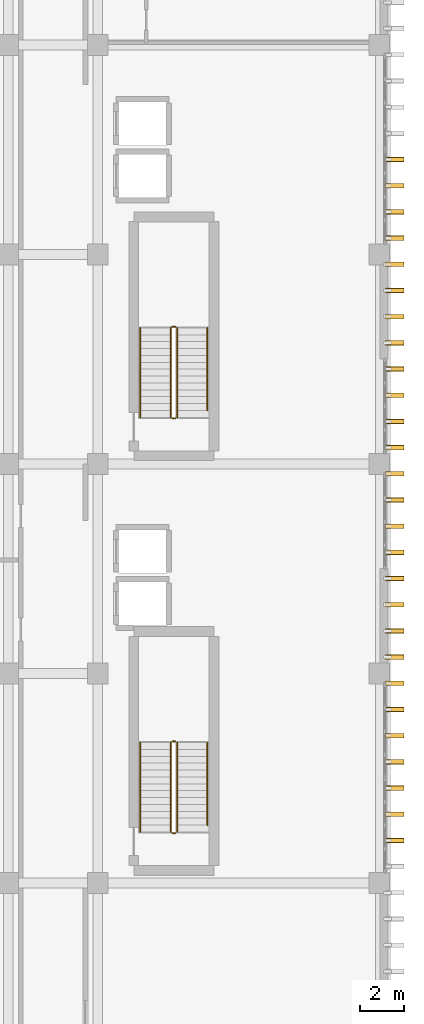
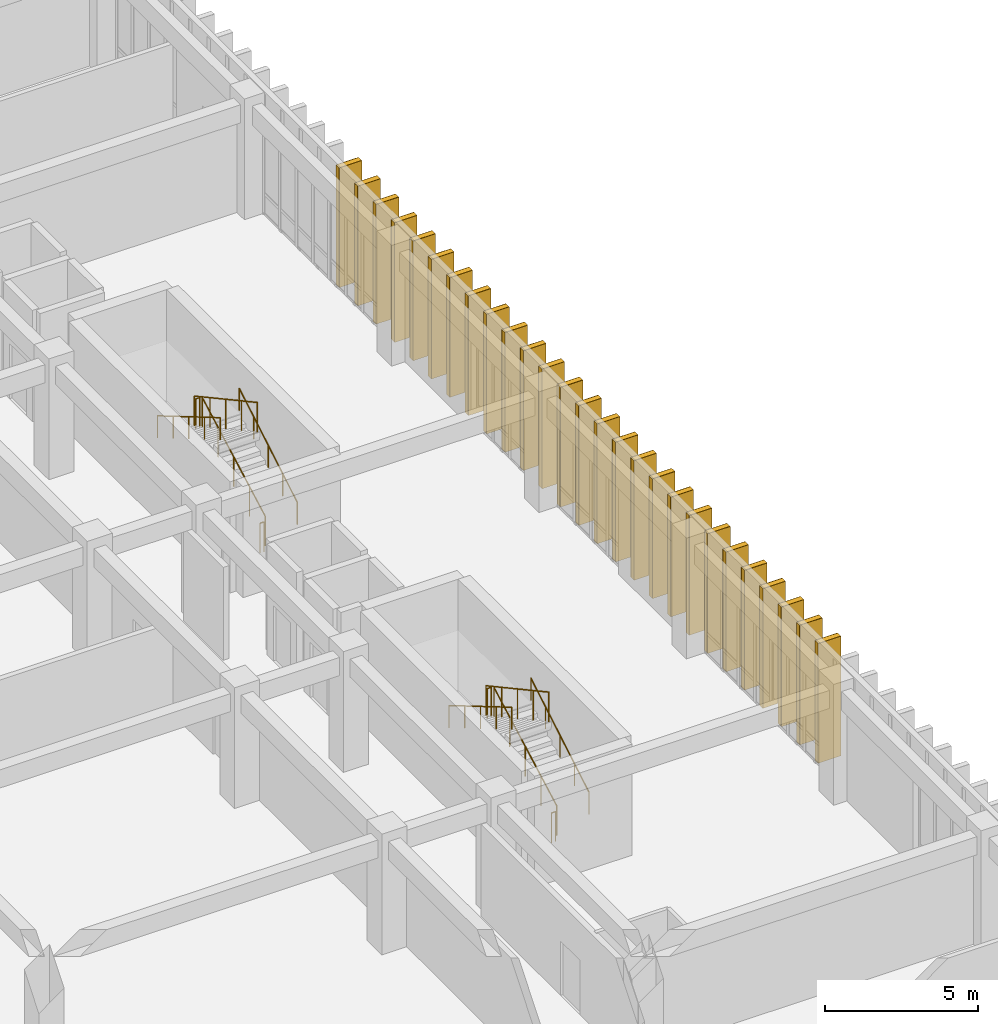
# One storey, part 129 of 133: 27 coverings, 27 shading devices, 12 railings.
"""IFC4 building model written with IfcOpenShell, lengths in metres."""

import ifcopenshell
import ifcopenshell.guid

model = None  # the IFC model being written
_history = None  # IfcOwnerHistory: only IFC2X3 demands one
_inside = {}  # id of a spatial element -> (the spatial element, [elements in it])
_under = {}  # id of a project, library or spatial element -> (it, [spatial elements below it])
_declared = {}  # id of a project -> (the project, [libraries it declares])
_typed = {}  # id of a type object -> (the type object, [elements of that type])
_made_of = {}  # id of a material, layer set ... -> (it, [elements and type objects made of it])


def new_model(schema):
    """Start an empty IFC model of exactly this schema.

    Asked for "IFC4X3", IfcOpenShell would pick the latest addendum, in which some entities
    have other attributes; the version numbers below select the first issue.
    IFC2X3 requires an IfcOwnerHistory on every rooted entity: one is made here for all.
    """
    global model, _history
    if schema == "IFC4X3":
        model = ifcopenshell.file(schema_version=(4, 3, 0, 0))
    else:
        model = ifcopenshell.file(schema=schema)
    _inside.clear()
    _under.clear()
    _declared.clear()
    _typed.clear()
    _made_of.clear()
    _history = None
    if model.schema == "IFC2X3":
        org = make("IfcOrganization", Name="unknown")
        user = make(
            "IfcPersonAndOrganization",
            ThePerson=make("IfcPerson", FamilyName="unknown"),
            TheOrganization=org,
        )
        app = make(
            "IfcApplication",
            ApplicationDeveloper=org,
            Version="unknown",
            ApplicationFullName="unknown",
            ApplicationIdentifier="unknown",
        )
        _history = make(
            "IfcOwnerHistory",
            OwningUser=user,
            OwningApplication=app,
            ChangeAction="ADDED",
            CreationDate=0,
        )
    return model


def make(cls, **values):
    """One entity of the class cls with the attributes given. An attribute that is None is left unset."""
    return model.create_entity(
        cls, **{name: value for name, value in values.items() if value is not None}
    )


def rooted(cls, **values):
    """An entity with a GlobalId (a new one), such as an element, a storey or a relation."""
    return make(cls, GlobalId=ifcopenshell.guid.new(), OwnerHistory=_history, **values)


def si_unit(unit_type, name, prefix=None):
    """IfcSIUnit, for example si_unit("LENGTHUNIT", "METRE", prefix="MILLI")."""
    return make("IfcSIUnit", UnitType=unit_type, Prefix=prefix, Name=name)


def assignment(units):
    """IfcUnitAssignment: the units of a project."""
    return None if units is None else make("IfcUnitAssignment", Units=units)


def point(xyz):
    """IfcCartesianPoint."""
    return None if xyz is None else make("IfcCartesianPoint", Coordinates=xyz)


def direction(xyz):
    """IfcDirection."""
    return None if xyz is None else make("IfcDirection", DirectionRatios=xyz)


def frame(location, z_axis=None, x_axis=None):
    """IfcAxis2Placement3D, a coordinate frame: its origin and axes. An axis left out is left unset."""
    return make(
        "IfcAxis2Placement3D",
        Location=point(location),
        Axis=direction(z_axis),
        RefDirection=direction(x_axis),
    )


def frame_2d(location, x_axis=None):
    """IfcAxis2Placement2D, a coordinate frame in the plane: its origin and x axis."""
    return make(
        "IfcAxis2Placement2D", Location=point(location), RefDirection=direction(x_axis)
    )


def origin():
    """The frame at (0, 0, 0) with its axes left unset."""
    return frame((0.0, 0.0, 0.0))


def origin_2d():
    """The frame at (0, 0) in the plane with its x axis left unset."""
    return frame_2d((0.0, 0.0))


def place(relative_to, where):
    """IfcLocalPlacement: puts the frame where relative to a parent placement (None: the world)."""
    return make(
        "IfcLocalPlacement", PlacementRelTo=relative_to, RelativePlacement=where
    )


def context(
    kind, dimensions, precision=None, world=None, true_north=None, identifier=None
):
    """IfcGeometricRepresentationContext, for example the 3D "Model" context."""
    return make(
        "IfcGeometricRepresentationContext",
        ContextIdentifier=identifier,
        ContextType=kind,
        CoordinateSpaceDimension=dimensions,
        Precision=precision,
        WorldCoordinateSystem=world,
        TrueNorth=true_north,
    )


def subcontext(parent, identifier, kind, view, scale=None):
    """IfcGeometricRepresentationSubContext, for example "Body" below "Model"."""
    return make(
        "IfcGeometricRepresentationSubContext",
        ContextIdentifier=identifier,
        ContextType=kind,
        ParentContext=parent,
        TargetScale=scale,
        TargetView=view,
    )


def project(units=None, contexts=None):
    """IfcProject with its units and contexts."""
    return rooted(
        "IfcProject",
        Name="project",
        RepresentationContexts=contexts,
        UnitsInContext=assignment(units),
    )


def spatial(cls, under=None, at=None, **own):
    """A site, building, storey or space (cls), placed at a placement, below another one or the project."""
    s = rooted(cls, ObjectPlacement=at, **own)
    if under is not None:
        _under.setdefault(under.id(), (under, []))[1].append(s)
    return s


def profile(cls, at=None, kind="AREA", **sizes):
    """A parametric profile (cls). Its sizes go by their IFC names, for example OverallWidth=200.0."""
    return make(cls, ProfileType=kind, Position=at, **sizes)


def rectangle(**sizes):
    """IfcRectangleProfileDef."""
    return profile("IfcRectangleProfileDef", **sizes)


def circle(**sizes):
    """IfcCircleProfileDef."""
    return profile("IfcCircleProfileDef", **sizes)


def extrude(swept, where, along, depth):
    """IfcExtrudedAreaSolid: the profile swept, set in the frame where, extruded along a direction by depth."""
    return make(
        "IfcExtrudedAreaSolid",
        SweptArea=swept,
        Position=where,
        ExtrudedDirection=direction(along),
        Depth=depth,
    )


def shape(context_of_items, identifier, shape_type, items):
    """IfcShapeRepresentation: the items that make up one representation, for example the "Body"."""
    return make(
        "IfcShapeRepresentation",
        ContextOfItems=context_of_items,
        RepresentationIdentifier=identifier,
        RepresentationType=shape_type,
        Items=items,
    )


def material(Name=None, Category=None):
    """IfcMaterial."""
    return make("IfcMaterial", Name=Name, Category=Category)


def layer(
    of_material, thickness, ventilated=None, Name=None, Category=None, Priority=None
):
    """IfcMaterialLayer: one layer of a wall or slab, of a material (None: an air gap)."""
    return make(
        "IfcMaterialLayer",
        Material=of_material,
        LayerThickness=thickness,
        IsVentilated=ventilated,
        Name=Name,
        Category=Category,
        Priority=Priority,
    )


def layer_set(layers, Name=None):
    """IfcMaterialLayerSet."""
    return make("IfcMaterialLayerSet", MaterialLayers=layers, LayerSetName=Name)


def made_of(thing, what):
    """Note that an element or type object is made of a material, layer set ...; save() writes the relation."""
    if what is not None:
        _made_of.setdefault(what.id(), (what, []))[1].append(thing)
    return thing


def type_object(cls, material=None, **own):
    """A type object (cls), such as IfcWallType, which elements share."""
    return made_of(rooted(cls, **own), material)


def element(
    cls,
    number,
    at=None,
    inside=None,
    cuts=None,
    type_object=None,
    material=None,
    context=None,
    identifier="Body",
    shape_type=None,
    held_by="IfcProductDefinitionShape",
    body=None,
    shapes=None,
    **own,
):
    """One element of the class cls, such as IfcWall. Its Tag is "e" and its number.

    at: its placement. inside: the storey or other place that contains it. cuts: it is an
    opening in that element (IfcRelVoidsElement). A single representation is given by context,
    identifier, shape_type and body (its items); several are given by shapes. held_by: the class
    of the entity that holds the representations. save() writes the other relations.
    """
    e = rooted(cls, Tag="e%d" % number, ObjectPlacement=at, **own)
    if body is not None:
        shapes = [shape(context, identifier, shape_type, body)]
    if shapes is not None:
        e.Representation = make(held_by, Representations=shapes)
    if inside is not None:
        _inside.setdefault(inside.id(), (inside, []))[1].append(e)
    if cuts is not None:
        rooted(
            "IfcRelVoidsElement", RelatingBuildingElement=cuts, RelatedOpeningElement=e
        )
    if type_object is not None:
        _typed.setdefault(type_object.id(), (type_object, []))[1].append(e)
    return made_of(e, material)


def aggregate(whole, parts):
    """IfcRelAggregates: a whole, such as a stair, and the parts it consists of."""
    return rooted("IfcRelAggregates", RelatingObject=whole, RelatedObjects=parts)


def save(model, path):
    """Write the relations noted so far, then the file.

    IfcRelAggregates (storeys below a building ...), IfcRelContainedInSpatialStructure (elements
    in a storey), IfcRelDefinesByType, IfcRelAssociatesMaterial and IfcRelDeclares: one each for
    every whole, place, type object, material and project.
    """
    for whole, parts in _under.values():
        aggregate(whole, parts)
    for where, things in _inside.values():
        rooted(
            "IfcRelContainedInSpatialStructure",
            RelatedElements=things,
            RelatingStructure=where,
        )
    for kind, things in _typed.values():
        rooted("IfcRelDefinesByType", RelatedObjects=things, RelatingType=kind)
    for what, things in _made_of.values():
        rooted("IfcRelAssociatesMaterial", RelatedObjects=things, RelatingMaterial=what)
    for by, libraries in _declared.values():
        rooted("IfcRelDeclares", RelatingContext=by, RelatedDefinitions=libraries)
    model.write(path)


model = new_model("IFC4")

# Units and contexts
model_context = context("Model", 3, precision=1e-05, world=origin(), true_north=direction((0.0, 1.0)))
body_context = subcontext(model_context, "Body", "Model", "MODEL_VIEW")
ifc_project = project(units=[si_unit("LENGTHUNIT", "METRE"), si_unit("AREAUNIT", "SQUARE_METRE"), si_unit("VOLUMEUNIT", "CUBIC_METRE"), si_unit("PLANEANGLEUNIT", "RADIAN"), si_unit("MASSUNIT", "GRAM", prefix="KILO")], contexts=[model_context])

# Site, building, storey
site_placement = place(None, origin())
site = spatial("IfcSite", under=ifc_project, at=site_placement, CompositionType="ELEMENT")
building_placement = place(site_placement, origin())
building = spatial("IfcBuilding", under=site, at=building_placement, Name="Nakhvara Creek Congress Hotel", CompositionType="ELEMENT")
storey_placement = place(building_placement, frame((0.0, 0.0, 11.39990234375)))
storey = spatial("IfcBuildingStorey", under=building, at=storey_placement, Name="L02", CompositionType="ELEMENT", Elevation=11.39990234375)

# Coverings
ifc_material_1 = material(Name="Honed pale Omani limestone architectural cladding", Category="masonry")
ifc_layer = layer(ifc_material_1, 0.219970703125)
ifc_layer_set = layer_set([ifc_layer], Name="Honed pale Omani limestone architectural cladding")
covering_type = type_object("IfcCoveringType", Name="COV-FIN-850", PredefinedType="CLADDING", material=ifc_layer_set)
for number, where, z_axis, x_axis, name in (
    (1, (180.054931640625, 30.75, 0.0), (0.0, 0.0, 1.0), (0.0, 1.0, 0.0), "Pale Limestone Fin Cladding CF01-0878"),
    (2, (180.054931640625, 31.949951171875, 0.0), (0.0, 0.0, 1.0), (0.0, 1.0, 0.0), "Pale Limestone Fin Cladding CF01-0879"),
    (3, (180.054931640625, 33.14990234375, 0.0), (0.0, 0.0, 1.0), (0.0, 1.0, 0.0), "Pale Limestone Fin Cladding CF01-0880"),
    (4, (180.054931640625, 34.35009765625, 0.0), (0.0, 0.0, 1.0), (0.0, 1.0, 0.0), "Pale Limestone Fin Cladding CF01-0881"),
    (5, (180.054931640625, 35.550048828125, 0.0), (0.0, 0.0, 1.0), (0.0, 1.0, 0.0), "Pale Limestone Fin Cladding CF01-0882"),
    (6, (180.054931640625, 36.75, 0.0), (0.0, 0.0, 1.0), (0.0, 1.0, 0.0), "Pale Limestone Fin Cladding CF01-0883"),
    (7, (180.054931640625, 37.949951171875, 0.0), (0.0, 0.0, 1.0), (0.0, 1.0, 0.0), "Pale Limestone Fin Cladding CF01-0884"),
    (8, (180.054931640625, 39.14990234375, 0.0), (0.0, 0.0, 1.0), (0.0, 1.0, 0.0), "Pale Limestone Fin Cladding CF01-0885"),
    (9, (180.054931640625, 40.35009765625, 0.0), (0.0, 0.0, 1.0), (0.0, 1.0, 0.0), "Pale Limestone Fin Cladding CF01-0886"),
    (10, (180.054931640625, 41.550048828125, 0.0), (0.0, 0.0, 1.0), (0.0, 1.0, 0.0), "Pale Limestone Fin Cladding CF01-0887"),
    (11, (180.054931640625, 42.75, 0.0), (0.0, 0.0, 1.0), (0.0, 1.0, 0.0), "Pale Limestone Fin Cladding CF01-0888"),
    (12, (180.054931640625, 43.949951171875, 0.0), (0.0, 0.0, 1.0), (0.0, 1.0, 0.0), "Pale Limestone Fin Cladding CF01-0889"),
    (13, (180.054931640625, 45.14990234375, 0.0), (0.0, 0.0, 1.0), (0.0, 1.0, 0.0), "Pale Limestone Fin Cladding CF01-0890"),
    (14, (180.054931640625, 46.35009765625, 0.0), (0.0, 0.0, 1.0), (0.0, 1.0, 0.0), "Pale Limestone Fin Cladding CF01-0891"),
    (15, (180.054931640625, 47.550048828125, 0.0), (0.0, 0.0, 1.0), (0.0, 1.0, 0.0), "Pale Limestone Fin Cladding CF01-0892"),
    (16, (180.054931640625, 48.75, 0.0), (0.0, 0.0, 1.0), (0.0, 1.0, 0.0), "Pale Limestone Fin Cladding CF01-0893"),
    (17, (180.054931640625, 49.949951171875, 0.0), (0.0, 0.0, 1.0), (0.0, 1.0, 0.0), "Pale Limestone Fin Cladding CF01-0894"),
    (18, (180.054931640625, 51.14990234375, 0.0), (0.0, 0.0, 1.0), (0.0, 1.0, 0.0), "Pale Limestone Fin Cladding CF01-0895"),
    (19, (180.054931640625, 52.35009765625, 0.0), (0.0, 0.0, 1.0), (0.0, 1.0, 0.0), "Pale Limestone Fin Cladding CF01-0896"),
    (20, (180.054931640625, 53.550048828125, 0.0), (0.0, 0.0, 1.0), (0.0, 1.0, 0.0), "Pale Limestone Fin Cladding CF01-0897"),
    (21, (180.054931640625, 54.75, 0.0), (0.0, 0.0, 1.0), (0.0, 1.0, 0.0), "Pale Limestone Fin Cladding CF01-0898"),
    (22, (180.054931640625, 55.949951171875, 0.0), (0.0, 0.0, 1.0), (0.0, 1.0, 0.0), "Pale Limestone Fin Cladding CF01-0899"),
    (23, (180.054931640625, 57.14990234375, 0.0), (0.0, 0.0, 1.0), (0.0, 1.0, 0.0), "Pale Limestone Fin Cladding CF01-0900"),
    (24, (180.054931640625, 58.35009765625, 0.0), (0.0, 0.0, 1.0), (0.0, 1.0, 0.0), "Pale Limestone Fin Cladding CF01-0901"),
    (25, (180.054931640625, 59.550048828125, 0.0), (0.0, 0.0, 1.0), (0.0, 1.0, 0.0), "Pale Limestone Fin Cladding CF01-0902"),
    (26, (180.054931640625, 60.75, 0.0), (0.0, 0.0, 1.0), (0.0, 1.0, 0.0), "Pale Limestone Fin Cladding CF01-0903"),
    (27, (180.054931640625, 61.949951171875, 0.0), (0.0, 0.0, 1.0), (0.0, 1.0, 0.0), "Pale Limestone Fin Cladding CF01-0904"),
):
    element("IfcCovering", number, at=place(storey_placement, frame(where, z_axis=z_axis, x_axis=x_axis)), inside=storey, type_object=covering_type, Name=name, PredefinedType="CLADDING", context=body_context, shape_type="SweptSolid", body=[
        extrude(rectangle(XDim=0.219970703125, YDim=0.85009765625, at=origin_2d()), origin(), (0.0, 0.0, 1.0), 4.760009765625),
    ])

# Railings
ifc_material_2 = material(Name="Brushed stainless steel 316L", Category="steel")
railing_type_1 = type_object("IfcRailingType", Name="RL-GUARD-1200", PredefinedType="GUARDRAIL", material=ifc_material_2)
railing_1_placement = place(storey_placement, frame((170.0849609375, 31.139892578125, 0.171630859375)))
element("IfcRailing", 28, at=railing_1_placement, inside=storey, type_object=railing_type_1, Name="L02 ST03 stair guard 1", PredefinedType="GUARDRAIL", context=body_context, shape_type="SweptSolid", body=[
    extrude(circle(Radius=0.02392578125, at=origin_2d()), frame((0.0, 0.012939453125, 1.182861328125), z_axis=(0.0, 0.878367429875, 0.477986043871), x_axis=(-1.0, 0.0, 0.0)), (0.0, 0.0, 1.0), 4.6328125),
    extrude(circle(Radius=0.02099609375, at=origin_2d()), origin(), (0.0, 0.0, 1.0), 1.1806640625),
    extrude(circle(Radius=0.02099609375, at=origin_2d()), frame((0.0, 1.02392578125, 0.55712890625)), (0.0, 0.0, 1.0), 1.1806640625),
    extrude(circle(Radius=0.02099609375, at=origin_2d()), frame((0.0, 2.047607421875, 1.1142578125)), (0.0, 0.0, 1.0), 1.1806640625),
    extrude(circle(Radius=0.02099609375, at=origin_2d()), frame((0.0, 3.0712890625, 1.67138671875)), (0.0, 0.0, 1.0), 1.1806640625),
    extrude(circle(Radius=0.02099609375, at=origin_2d()), frame((0.0, 4.09521484375, 2.228515625)), (0.0, 0.0, 1.0), 1.1806640625),
])
railing_2_placement = place(storey_placement, frame((170.010009765625, 35.284912109375, 2.400146484375)))
element("IfcRailing", 29, at=railing_2_placement, inside=storey, type_object=railing_type_1, Name="L02 ST03 stair guard 2", PredefinedType="GUARDRAIL", context=body_context, shape_type="SweptSolid", body=[
    extrude(circle(Radius=0.02392578125, at=origin_2d()), frame((-0.0146484375, 0.0, 1.17578125), z_axis=(-1.0, 0.0, 0.0), x_axis=(0.0, -1.0, 0.0)), (0.0, 0.0, 1.0), 0.12060546875),
    extrude(circle(Radius=0.02099609375, at=origin_2d()), origin(), (0.0, 0.0, 1.0), 1.1806640625),
    extrude(circle(Radius=0.02099609375, at=origin_2d()), frame((-0.14990234375, 0.0, 0.0)), (0.0, 0.0, 1.0), 1.1806640625),
])
railing_3_placement = place(storey_placement, frame((169.784912109375, 35.235107421875, 2.571533203125)))
element("IfcRailing", 30, at=railing_3_placement, inside=storey, type_object=railing_type_1, Name="L02 ST03 stair guard 3", PredefinedType="GUARDRAIL", context=body_context, shape_type="SweptSolid", body=[
    extrude(circle(Radius=0.02392578125, at=origin_2d()), frame((0.0, -0.012939453125, 1.182861328125), z_axis=(0.0, -0.878367429875, 0.477986043871), x_axis=(1.0, 0.0, 0.0)), (0.0, 0.0, 1.0), 4.6328125),
    extrude(circle(Radius=0.02099609375, at=origin_2d()), origin(), (0.0, 0.0, 1.0), 1.1806640625),
    extrude(circle(Radius=0.02099609375, at=origin_2d()), frame((0.0, -1.02392578125, 0.55712890625)), (0.0, 0.0, 1.0), 1.1806640625),
    extrude(circle(Radius=0.02099609375, at=origin_2d()), frame((0.0, -2.047607421875, 1.1142578125)), (0.0, 0.0, 1.0), 1.1806640625),
    extrude(circle(Radius=0.02099609375, at=origin_2d()), frame((0.0, -3.0712890625, 1.67138671875)), (0.0, 0.0, 1.0), 1.1806640625),
    extrude(circle(Radius=0.02099609375, at=origin_2d()), frame((0.0, -4.09521484375, 2.228515625)), (0.0, 0.0, 1.0), 1.1806640625),
])
railing_4_placement = place(storey_placement, frame((170.010009765625, 31.090087890625, 0.0)))
element("IfcRailing", 31, at=railing_4_placement, inside=storey, type_object=railing_type_1, Name="L02 ST03 stair guard 4", PredefinedType="GUARDRAIL", context=body_context, shape_type="SweptSolid", body=[
    extrude(circle(Radius=0.02392578125, at=origin_2d()), frame((-0.0146484375, 0.0, 1.17578125), z_axis=(-1.0, 0.0, 0.0), x_axis=(0.0, -1.0, 0.0)), (0.0, 0.0, 1.0), 0.12060546875),
    extrude(circle(Radius=0.02099609375, at=origin_2d()), origin(), (0.0, 0.0, 1.0), 1.1806640625),
    extrude(circle(Radius=0.02099609375, at=origin_2d()), frame((-0.14990234375, 0.0, 0.0)), (0.0, 0.0, 1.0), 1.1806640625),
])
railing_5_placement = place(storey_placement, frame((170.0849609375, 50.139892578125, 0.171630859375)))
element("IfcRailing", 32, at=railing_5_placement, inside=storey, type_object=railing_type_1, Name="L02 ST04 stair guard 1", PredefinedType="GUARDRAIL", context=body_context, shape_type="SweptSolid", body=[
    extrude(circle(Radius=0.02392578125, at=origin_2d()), frame((0.0, 0.012939453125, 1.182861328125), z_axis=(0.0, 0.878367429875, 0.477986043871), x_axis=(-1.0, 0.0, 0.0)), (0.0, 0.0, 1.0), 4.6328125),
    extrude(circle(Radius=0.02099609375, at=origin_2d()), origin(), (0.0, 0.0, 1.0), 1.1806640625),
    extrude(circle(Radius=0.02099609375, at=origin_2d()), frame((0.0, 1.02392578125, 0.55712890625)), (0.0, 0.0, 1.0), 1.1806640625),
    extrude(circle(Radius=0.02099609375, at=origin_2d()), frame((0.0, 2.047607421875, 1.1142578125)), (0.0, 0.0, 1.0), 1.1806640625),
    extrude(circle(Radius=0.02099609375, at=origin_2d()), frame((0.0, 3.0712890625, 1.67138671875)), (0.0, 0.0, 1.0), 1.1806640625),
    extrude(circle(Radius=0.02099609375, at=origin_2d()), frame((0.0, 4.09521484375, 2.228515625)), (0.0, 0.0, 1.0), 1.1806640625),
])
railing_6_placement = place(storey_placement, frame((170.010009765625, 54.284912109375, 2.400146484375)))
element("IfcRailing", 33, at=railing_6_placement, inside=storey, type_object=railing_type_1, Name="L02 ST04 stair guard 2", PredefinedType="GUARDRAIL", context=body_context, shape_type="SweptSolid", body=[
    extrude(circle(Radius=0.02392578125, at=origin_2d()), frame((-0.0146484375, 0.0, 1.17578125), z_axis=(-1.0, 0.0, 0.0), x_axis=(0.0, -1.0, 0.0)), (0.0, 0.0, 1.0), 0.12060546875),
    extrude(circle(Radius=0.02099609375, at=origin_2d()), origin(), (0.0, 0.0, 1.0), 1.1806640625),
    extrude(circle(Radius=0.02099609375, at=origin_2d()), frame((-0.14990234375, 0.0, 0.0)), (0.0, 0.0, 1.0), 1.1806640625),
])
railing_7_placement = place(storey_placement, frame((169.784912109375, 54.235107421875, 2.571533203125)))
element("IfcRailing", 34, at=railing_7_placement, inside=storey, type_object=railing_type_1, Name="L02 ST04 stair guard 3", PredefinedType="GUARDRAIL", context=body_context, shape_type="SweptSolid", body=[
    extrude(circle(Radius=0.02392578125, at=origin_2d()), frame((0.0, -0.012939453125, 1.182861328125), z_axis=(0.0, -0.878367429875, 0.477986043871), x_axis=(1.0, 0.0, 0.0)), (0.0, 0.0, 1.0), 4.6328125),
    extrude(circle(Radius=0.02099609375, at=origin_2d()), origin(), (0.0, 0.0, 1.0), 1.1806640625),
    extrude(circle(Radius=0.02099609375, at=origin_2d()), frame((0.0, -1.02392578125, 0.55712890625)), (0.0, 0.0, 1.0), 1.1806640625),
    extrude(circle(Radius=0.02099609375, at=origin_2d()), frame((0.0, -2.047607421875, 1.1142578125)), (0.0, 0.0, 1.0), 1.1806640625),
    extrude(circle(Radius=0.02099609375, at=origin_2d()), frame((0.0, -3.0712890625, 1.67138671875)), (0.0, 0.0, 1.0), 1.1806640625),
    extrude(circle(Radius=0.02099609375, at=origin_2d()), frame((0.0, -4.09521484375, 2.228515625)), (0.0, 0.0, 1.0), 1.1806640625),
])
railing_8_placement = place(storey_placement, frame((170.010009765625, 50.090087890625, 0.0)))
element("IfcRailing", 35, at=railing_8_placement, inside=storey, type_object=railing_type_1, Name="L02 ST04 stair guard 4", PredefinedType="GUARDRAIL", context=body_context, shape_type="SweptSolid", body=[
    extrude(circle(Radius=0.02392578125, at=origin_2d()), frame((-0.0146484375, 0.0, 1.17578125), z_axis=(-1.0, 0.0, 0.0), x_axis=(0.0, -1.0, 0.0)), (0.0, 0.0, 1.0), 0.12060546875),
    extrude(circle(Radius=0.02099609375, at=origin_2d()), origin(), (0.0, 0.0, 1.0), 1.1806640625),
    extrude(circle(Radius=0.02099609375, at=origin_2d()), frame((-0.14990234375, 0.0, 0.0)), (0.0, 0.0, 1.0), 1.1806640625),
])
railing_type_2 = type_object("IfcRailingType", Name="RL-HAND-900", PredefinedType="HANDRAIL", material=ifc_material_2)
railing_9_placement = place(storey_placement, frame((171.47509765625, 31.455078125, 0.343017578125)))
element("IfcRailing", 36, at=railing_9_placement, inside=storey, type_object=railing_type_2, Name="L02 ST03 stair handrail 1", PredefinedType="HANDRAIL", context=body_context, shape_type="SweptSolid", body=[
    extrude(circle(Radius=0.02392578125, at=origin_2d()), frame((0.0, 0.0126953125, 0.88330078125), z_axis=(0.0, 0.860342978037, 0.509715567883), x_axis=(-1.0, 0.0, 0.0)), (0.0, 0.0, 1.0), 4.3642578125),
    extrude(circle(Radius=0.02099609375, at=origin_2d()), origin(), (0.0, 0.0, 1.0), 0.880615234375),
    extrude(circle(Radius=0.02099609375, at=origin_2d()), frame((0.0, 0.945068359375, 0.559814453125)), (0.0, 0.0, 1.0), 0.880615234375),
    extrude(circle(Radius=0.02099609375, at=origin_2d()), frame((0.0, 1.89013671875, 1.11962890625)), (0.0, 0.0, 1.0), 0.880615234375),
    extrude(circle(Radius=0.02099609375, at=origin_2d()), frame((0.0, 2.8349609375, 1.6796875)), (0.0, 0.0, 1.0), 0.880615234375),
    extrude(circle(Radius=0.02099609375, at=origin_2d()), frame((0.0, 3.780029296875, 2.239501953125)), (0.0, 0.0, 1.0), 0.880615234375),
])
railing_10_placement = place(storey_placement, frame((168.39501953125, 35.235107421875, 2.571533203125)))
element("IfcRailing", 37, at=railing_10_placement, inside=storey, type_object=railing_type_2, Name="L02 ST03 stair handrail 2", PredefinedType="HANDRAIL", context=body_context, shape_type="SweptSolid", body=[
    extrude(circle(Radius=0.02392578125, at=origin_2d()), frame((0.0, -0.0126953125, 0.88330078125), z_axis=(0.0, -0.861755869898, 0.507323191561), x_axis=(1.0, 0.0, 0.0)), (0.0, 0.0, 1.0), 4.722900390625),
    extrude(circle(Radius=0.02099609375, at=origin_2d()), origin(), (0.0, 0.0, 1.0), 0.880615234375),
    extrude(circle(Radius=0.02099609375, at=origin_2d()), frame((0.0, -1.02392578125, 0.602783203125)), (0.0, 0.0, 1.0), 0.880615234375),
    extrude(circle(Radius=0.02099609375, at=origin_2d()), frame((0.0, -2.047607421875, 1.20556640625)), (0.0, 0.0, 1.0), 0.880615234375),
    extrude(circle(Radius=0.02099609375, at=origin_2d()), frame((0.0, -3.0712890625, 1.80810546875)), (0.0, 0.0, 1.0), 0.880615234375),
    extrude(circle(Radius=0.02099609375, at=origin_2d()), frame((0.0, -4.09521484375, 2.410888671875)), (0.0, 0.0, 1.0), 0.880615234375),
])
railing_11_placement = place(storey_placement, frame((171.47509765625, 50.455078125, 0.343017578125)))
element("IfcRailing", 38, at=railing_11_placement, inside=storey, type_object=railing_type_2, Name="L02 ST04 stair handrail 1", PredefinedType="HANDRAIL", context=body_context, shape_type="SweptSolid", body=[
    extrude(circle(Radius=0.02392578125, at=origin_2d()), frame((0.0, 0.0126953125, 0.88330078125), z_axis=(0.0, 0.860342978037, 0.509715567883), x_axis=(-1.0, 0.0, 0.0)), (0.0, 0.0, 1.0), 4.3642578125),
    extrude(circle(Radius=0.02099609375, at=origin_2d()), origin(), (0.0, 0.0, 1.0), 0.880615234375),
    extrude(circle(Radius=0.02099609375, at=origin_2d()), frame((0.0, 0.945068359375, 0.559814453125)), (0.0, 0.0, 1.0), 0.880615234375),
    extrude(circle(Radius=0.02099609375, at=origin_2d()), frame((0.0, 1.89013671875, 1.11962890625)), (0.0, 0.0, 1.0), 0.880615234375),
    extrude(circle(Radius=0.02099609375, at=origin_2d()), frame((0.0, 2.8349609375, 1.6796875)), (0.0, 0.0, 1.0), 0.880615234375),
    extrude(circle(Radius=0.02099609375, at=origin_2d()), frame((0.0, 3.780029296875, 2.239501953125)), (0.0, 0.0, 1.0), 0.880615234375),
])
railing_12_placement = place(storey_placement, frame((168.39501953125, 54.235107421875, 2.571533203125)))
element("IfcRailing", 39, at=railing_12_placement, inside=storey, type_object=railing_type_2, Name="L02 ST04 stair handrail 2", PredefinedType="HANDRAIL", context=body_context, shape_type="SweptSolid", body=[
    extrude(circle(Radius=0.02392578125, at=origin_2d()), frame((0.0, -0.0126953125, 0.88330078125), z_axis=(0.0, -0.861755869898, 0.507323191561), x_axis=(1.0, 0.0, 0.0)), (0.0, 0.0, 1.0), 4.722900390625),
    extrude(circle(Radius=0.02099609375, at=origin_2d()), origin(), (0.0, 0.0, 1.0), 0.880615234375),
    extrude(circle(Radius=0.02099609375, at=origin_2d()), frame((0.0, -1.02392578125, 0.602783203125)), (0.0, 0.0, 1.0), 0.880615234375),
    extrude(circle(Radius=0.02099609375, at=origin_2d()), frame((0.0, -2.047607421875, 1.20556640625)), (0.0, 0.0, 1.0), 0.880615234375),
    extrude(circle(Radius=0.02099609375, at=origin_2d()), frame((0.0, -3.0712890625, 1.80810546875)), (0.0, 0.0, 1.0), 0.880615234375),
    extrude(circle(Radius=0.02099609375, at=origin_2d()), frame((0.0, -4.09521484375, 2.410888671875)), (0.0, 0.0, 1.0), 0.880615234375),
])

# Shading devices
ifc_material_3 = material(Name="Honed pale Omani limestone cladding on stainless steel spine", Category="masonry")
shading_device_type = type_object("IfcShadingDeviceType", Name="SHD-FIN-850X4700", PredefinedType="USERDEFINED", material=ifc_material_3)
for number, where, z_axis, x_axis, name in (
    (40, (180.054931640625, 30.75, 0.0), (0.0, 0.0, 1.0), (0.0, 1.0, 0.0), "Limestone Solar Fin FN02-0743"),
    (41, (180.054931640625, 31.949951171875, 0.0), (0.0, 0.0, 1.0), (0.0, 1.0, 0.0), "Limestone Solar Fin FN02-0744"),
    (42, (180.054931640625, 33.14990234375, 0.0), (0.0, 0.0, 1.0), (0.0, 1.0, 0.0), "Limestone Solar Fin FN02-0745"),
    (43, (180.054931640625, 34.35009765625, 0.0), (0.0, 0.0, 1.0), (0.0, 1.0, 0.0), "Limestone Solar Fin FN02-0746"),
    (44, (180.054931640625, 35.550048828125, 0.0), (0.0, 0.0, 1.0), (0.0, 1.0, 0.0), "Limestone Solar Fin FN02-0747"),
    (45, (180.054931640625, 36.75, 0.0), (0.0, 0.0, 1.0), (0.0, 1.0, 0.0), "Limestone Solar Fin FN02-0748"),
    (46, (180.054931640625, 37.949951171875, 0.0), (0.0, 0.0, 1.0), (0.0, 1.0, 0.0), "Limestone Solar Fin FN02-0749"),
    (47, (180.054931640625, 39.14990234375, 0.0), (0.0, 0.0, 1.0), (0.0, 1.0, 0.0), "Limestone Solar Fin FN02-0750"),
    (48, (180.054931640625, 40.35009765625, 0.0), (0.0, 0.0, 1.0), (0.0, 1.0, 0.0), "Limestone Solar Fin FN02-0751"),
    (49, (180.054931640625, 41.550048828125, 0.0), (0.0, 0.0, 1.0), (0.0, 1.0, 0.0), "Limestone Solar Fin FN02-0752"),
    (50, (180.054931640625, 42.75, 0.0), (0.0, 0.0, 1.0), (0.0, 1.0, 0.0), "Limestone Solar Fin FN02-0753"),
    (51, (180.054931640625, 43.949951171875, 0.0), (0.0, 0.0, 1.0), (0.0, 1.0, 0.0), "Limestone Solar Fin FN02-0754"),
    (52, (180.054931640625, 45.14990234375, 0.0), (0.0, 0.0, 1.0), (0.0, 1.0, 0.0), "Limestone Solar Fin FN02-0755"),
    (53, (180.054931640625, 46.35009765625, 0.0), (0.0, 0.0, 1.0), (0.0, 1.0, 0.0), "Limestone Solar Fin FN02-0756"),
    (54, (180.054931640625, 47.550048828125, 0.0), (0.0, 0.0, 1.0), (0.0, 1.0, 0.0), "Limestone Solar Fin FN02-0757"),
    (55, (180.054931640625, 48.75, 0.0), (0.0, 0.0, 1.0), (0.0, 1.0, 0.0), "Limestone Solar Fin FN02-0758"),
    (56, (180.054931640625, 49.949951171875, 0.0), (0.0, 0.0, 1.0), (0.0, 1.0, 0.0), "Limestone Solar Fin FN02-0759"),
    (57, (180.054931640625, 51.14990234375, 0.0), (0.0, 0.0, 1.0), (0.0, 1.0, 0.0), "Limestone Solar Fin FN02-0760"),
    (58, (180.054931640625, 52.35009765625, 0.0), (0.0, 0.0, 1.0), (0.0, 1.0, 0.0), "Limestone Solar Fin FN02-0761"),
    (59, (180.054931640625, 53.550048828125, 0.0), (0.0, 0.0, 1.0), (0.0, 1.0, 0.0), "Limestone Solar Fin FN02-0762"),
    (60, (180.054931640625, 54.75, 0.0), (0.0, 0.0, 1.0), (0.0, 1.0, 0.0), "Limestone Solar Fin FN02-0763"),
    (61, (180.054931640625, 55.949951171875, 0.0), (0.0, 0.0, 1.0), (0.0, 1.0, 0.0), "Limestone Solar Fin FN02-0764"),
    (62, (180.054931640625, 57.14990234375, 0.0), (0.0, 0.0, 1.0), (0.0, 1.0, 0.0), "Limestone Solar Fin FN02-0765"),
    (63, (180.054931640625, 58.35009765625, 0.0), (0.0, 0.0, 1.0), (0.0, 1.0, 0.0), "Limestone Solar Fin FN02-0766"),
    (64, (180.054931640625, 59.550048828125, 0.0), (0.0, 0.0, 1.0), (0.0, 1.0, 0.0), "Limestone Solar Fin FN02-0767"),
    (65, (180.054931640625, 60.75, 0.0), (0.0, 0.0, 1.0), (0.0, 1.0, 0.0), "Limestone Solar Fin FN02-0768"),
    (66, (180.054931640625, 61.949951171875, 0.0), (0.0, 0.0, 1.0), (0.0, 1.0, 0.0), "Limestone Solar Fin FN02-0769"),
):
    element("IfcShadingDevice", number, at=place(storey_placement, frame(where, z_axis=z_axis, x_axis=x_axis)), inside=storey, type_object=shading_device_type, Name=name, ObjectType="FIN", PredefinedType="USERDEFINED", context=body_context, shape_type="SweptSolid", body=[
        extrude(rectangle(XDim=0.199951171875, YDim=0.85009765625, at=origin_2d()), origin(), (0.0, 0.0, 1.0), 4.760009765625),
    ])

save(model, "model.ifc")
